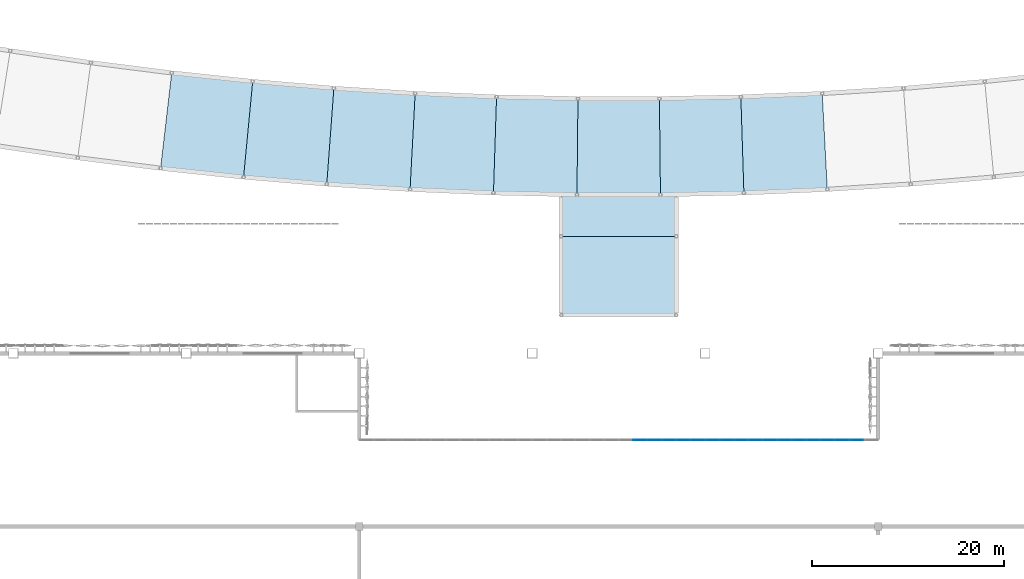
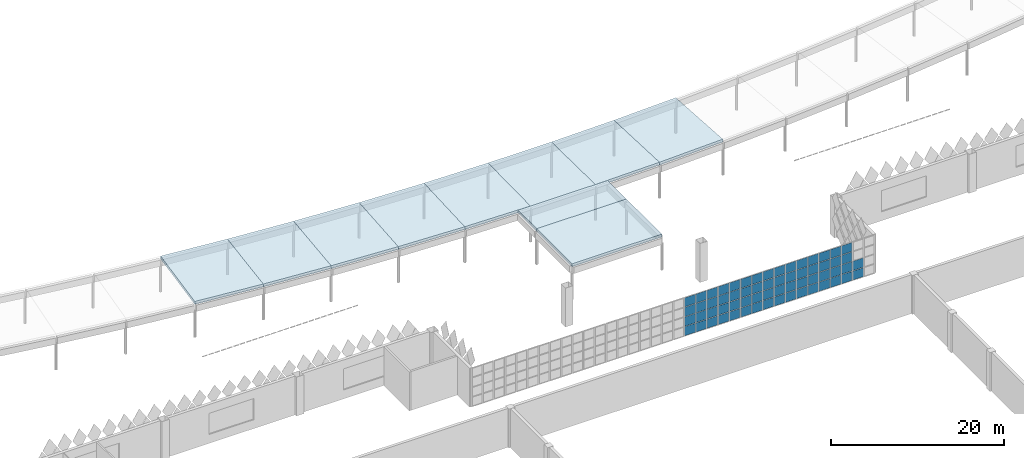
# One storey, part 92 of 185: 62 plates, 10 slabs, 2 elements without a shape of their own.
"""IFC4 building model written with IfcOpenShell, lengths in metres."""

from ifc_helpers import new_model, si_unit, direction, frame, origin, origin_2d, place, context, subcontext, project, spatial, polyline, rectangle, outline, extrude, material, layer, layer_set, type_object, element, aggregate, save


model = new_model("IFC4")

# Units and contexts
model_context = context("Model", 3, precision=1e-05, world=origin(), true_north=direction((0.0, 1.0)))
body_context = subcontext(model_context, "Body", "Model", "MODEL_VIEW")
ifc_project = project(units=[si_unit("LENGTHUNIT", "METRE"), si_unit("AREAUNIT", "SQUARE_METRE"), si_unit("VOLUMEUNIT", "CUBIC_METRE"), si_unit("PLANEANGLEUNIT", "RADIAN"), si_unit("MASSUNIT", "GRAM", prefix="KILO")], contexts=[model_context])

# Site, building, storey
site_placement = place(None, origin())
site = spatial("IfcSite", under=ifc_project, at=site_placement, CompositionType="ELEMENT")
building_placement = place(site_placement, origin())
building = spatial("IfcBuilding", under=site, at=building_placement, Name="Opaline Strait Convention Centre", CompositionType="ELEMENT")
storey_placement = place(building_placement, frame((0.0, 0.0, 6.0)))
storey = spatial("IfcBuildingStorey", under=building, at=storey_placement, Name="L01", CompositionType="ELEMENT", Elevation=6.0)

# Slabs
ifc_material_1 = material(Name="Concrete C40", Category="concrete")
ifc_layer_1 = layer(ifc_material_1, 0.39990234375)
ifc_layer_set_1 = layer_set([ifc_layer_1], Name="Concrete C40")
slab_type = type_object("IfcSlabType", Name="Arcade roof plate 400 C40", PredefinedType="ROOF", material=ifc_layer_set_1)
slab_1_placement = place(storey_placement, frame((0.0, 0.0, 4.60009765625)))
element("IfcSlab", 1, at=slab_1_placement, inside=storey, type_object=slab_type, Name="Strait Arcade walk roof plate 1", PredefinedType="ROOF", context=body_context, shape_type="SweptSolid", body=[
    extrude(outline(polyline([(174.0, 157.0), (186.0, 157.0), (186.0, 165.199951171875), (174.0, 165.199951171875), (174.0, 157.0)])), origin(), (0.0, 0.0, 1.0), 0.39990234375),
])
slab_2_placement = place(storey_placement, frame((0.0, 0.0, 4.60009765625)))
element("IfcSlab", 2, at=slab_2_placement, inside=storey, type_object=slab_type, Name="Strait Arcade walk roof plate 2", PredefinedType="ROOF", context=body_context, shape_type="SweptSolid", body=[
    extrude(outline(polyline([(174.0, 165.199951171875), (186.0, 165.199951171875), (186.0, 169.52294921875), (174.0, 169.52294921875), (174.0, 165.199951171875)])), origin(), (0.0, 0.0, 1.0), 0.39990234375),
])
slab_3_placement = place(storey_placement, frame((0.0, 0.0, 4.60009765625)))
element("IfcSlab", 3, at=slab_3_placement, inside=storey, type_object=slab_type, Name="Strait Arcade roof plate 5", PredefinedType="ROOF", context=body_context, shape_type="SweptSolid", body=[
    extrude(outline(polyline([(132.32275390625, 172.272216796875), (140.96142578125, 171.358642578125), (141.909423828125, 181.313720703125), (133.47802734375, 182.205078125), (132.32275390625, 172.272216796875)])), origin(), (0.0, 0.0, 1.0), 0.39990234375),
])
slab_4_placement = place(storey_placement, frame((0.0, 0.0, 4.60009765625)))
element("IfcSlab", 4, at=slab_4_placement, inside=storey, type_object=slab_type, Name="Strait Arcade roof plate 6", PredefinedType="ROOF", context=body_context, shape_type="SweptSolid", body=[
    extrude(outline(polyline([(140.96142578125, 171.358642578125), (149.6181640625, 170.625732421875), (150.357177734375, 180.598388671875), (141.909423828125, 181.313720703125), (140.96142578125, 171.358642578125)])), origin(), (0.0, 0.0, 1.0), 0.39990234375),
])
slab_5_placement = place(storey_placement, frame((0.0, 0.0, 4.60009765625)))
element("IfcSlab", 5, at=slab_5_placement, inside=storey, type_object=slab_type, Name="Strait Arcade roof plate 7", PredefinedType="ROOF", context=body_context, shape_type="SweptSolid", body=[
    extrude(outline(polyline([(149.6181640625, 170.625732421875), (158.28857421875, 170.074951171875), (158.8173828125, 180.060791015625), (150.357177734375, 180.598388671875), (149.6181640625, 170.625732421875)])), origin(), (0.0, 0.0, 1.0), 0.39990234375),
])
slab_6_placement = place(storey_placement, frame((0.0, 0.0, 4.60009765625)))
element("IfcSlab", 6, at=slab_6_placement, inside=storey, type_object=slab_type, Name="Strait Arcade roof plate 8", PredefinedType="ROOF", context=body_context, shape_type="SweptSolid", body=[
    extrude(outline(polyline([(158.28857421875, 170.074951171875), (166.968994140625, 169.70703125), (167.28662109375, 179.7021484375), (158.8173828125, 180.060791015625), (158.28857421875, 170.074951171875)])), origin(), (0.0, 0.0, 1.0), 0.39990234375),
])
slab_7_placement = place(storey_placement, frame((0.0, 0.0, 4.60009765625)))
element("IfcSlab", 7, at=slab_7_placement, inside=storey, type_object=slab_type, Name="Strait Arcade roof plate 9", PredefinedType="ROOF", context=body_context, shape_type="SweptSolid", body=[
    extrude(outline(polyline([(166.968994140625, 169.70703125), (175.65576171875, 169.52294921875), (175.76171875, 179.5224609375), (167.28662109375, 179.7021484375), (166.968994140625, 169.70703125)])), origin(), (0.0, 0.0, 1.0), 0.39990234375),
])
slab_8_placement = place(storey_placement, frame((0.0, 0.0, 4.60009765625)))
element("IfcSlab", 8, at=slab_8_placement, inside=storey, type_object=slab_type, Name="Strait Arcade roof plate 10", PredefinedType="ROOF", context=body_context, shape_type="SweptSolid", body=[
    extrude(outline(polyline([(175.65576171875, 169.52294921875), (184.34423828125, 169.52294921875), (184.23828125, 179.5224609375), (175.76171875, 179.5224609375), (175.65576171875, 169.52294921875)])), origin(), (0.0, 0.0, 1.0), 0.39990234375),
])
slab_9_placement = place(storey_placement, frame((0.0, 0.0, 4.60009765625)))
element("IfcSlab", 9, at=slab_9_placement, inside=storey, type_object=slab_type, Name="Strait Arcade roof plate 11", PredefinedType="ROOF", context=body_context, shape_type="SweptSolid", body=[
    extrude(outline(polyline([(184.34423828125, 169.52294921875), (193.031005859375, 169.70703125), (192.71337890625, 179.7021484375), (184.23828125, 179.5224609375), (184.34423828125, 169.52294921875)])), origin(), (0.0, 0.0, 1.0), 0.39990234375),
])
slab_10_placement = place(storey_placement, frame((0.0, 0.0, 4.60009765625)))
element("IfcSlab", 10, at=slab_10_placement, inside=storey, type_object=slab_type, Name="Strait Arcade roof plate 12", PredefinedType="ROOF", context=body_context, shape_type="SweptSolid", body=[
    extrude(outline(polyline([(193.031005859375, 169.70703125), (201.71142578125, 170.074951171875), (201.1826171875, 180.060791015625), (192.71337890625, 179.7021484375), (193.031005859375, 169.70703125)])), origin(), (0.0, 0.0, 1.0), 0.39990234375),
])

# Curtain wall, plates
ifc_material_2 = material(Name="Aluminium framed glazing", Category="aluminium")
ifc_layer_2 = layer(ifc_material_2, 0.199951171875)
ifc_layer_set_2 = layer_set([ifc_layer_2], Name="Aluminium framed glazing")
curtain_wall_type = type_object("IfcCurtainWallType", Name="Entrance curtain wall 1500", PredefinedType="NOTDEFINED", material=ifc_layer_set_2)
curtain_wall_1_placement = place(storey_placement, origin())
curtain_wall_1 = element("IfcCurtainWall", 11, at=curtain_wall_1_placement, inside=storey, type_object=curtain_wall_type, Name="Entrance curtain wall L01-R2", PredefinedType="NOTDEFINED")
ifc_material_3 = material(Name="Double glazed unit low emissivity", Category="glass")
ifc_layer_3 = layer(ifc_material_3, 0.028076171875)
ifc_layer_set_3 = layer_set([ifc_layer_3], Name="Double glazed unit low emissivity")
plate_type = type_object("IfcPlateType", Name="Curtain wall glass panel 28", PredefinedType="CURTAIN_PANEL", material=ifc_layer_set_3)
plate_1_placement = place(storey_placement, frame((182.25, 144.0, 0.06005859375), z_axis=(0.0, 0.0, 1.0), x_axis=(1.0, 0.0, 0.0)))
plate_1 = element("IfcPlate", 12, at=plate_1_placement, type_object=plate_type, Name="XCW panel 8.1", PredefinedType="CURTAIN_PANEL", context=body_context, shape_type="SweptSolid", body=[
    extrude(rectangle(XDim=1.43994140625, YDim=0.028076171875, at=origin_2d()), origin(), (0.0, 0.0, 1.0), 1.284912109375),
])
plate_2_placement = place(storey_placement, frame((182.25, 144.0, 1.405029296875), z_axis=(0.0, 0.0, 1.0), x_axis=(1.0, 0.0, 0.0)))
plate_2 = element("IfcPlate", 13, at=plate_2_placement, type_object=plate_type, Name="XCW panel 8.2", PredefinedType="CURTAIN_PANEL", context=body_context, shape_type="SweptSolid", body=[
    extrude(rectangle(XDim=1.43994140625, YDim=0.028076171875, at=origin_2d()), origin(), (0.0, 0.0, 1.0), 1.31494140625),
])
plate_3_placement = place(storey_placement, frame((182.25, 144.0, 2.780029296875), z_axis=(0.0, 0.0, 1.0), x_axis=(1.0, 0.0, 0.0)))
plate_3 = element("IfcPlate", 14, at=plate_3_placement, type_object=plate_type, Name="XCW panel 8.3", PredefinedType="CURTAIN_PANEL", context=body_context, shape_type="SweptSolid", body=[
    extrude(rectangle(XDim=1.43994140625, YDim=0.028076171875, at=origin_2d()), origin(), (0.0, 0.0, 1.0), 1.31494140625),
])
plate_4_placement = place(storey_placement, frame((182.25, 144.0, 4.1552734375), z_axis=(0.0, 0.0, 1.0), x_axis=(1.0, 0.0, 0.0)))
plate_4 = element("IfcPlate", 15, at=plate_4_placement, type_object=plate_type, Name="XCW panel 8.4", PredefinedType="CURTAIN_PANEL", context=body_context, shape_type="SweptSolid", body=[
    extrude(rectangle(XDim=1.43994140625, YDim=0.028076171875, at=origin_2d()), origin(), (0.0, 0.0, 1.0), 1.284912109375),
])
plate_5_placement = place(storey_placement, frame((183.75, 144.0, 0.06005859375), z_axis=(0.0, 0.0, 1.0), x_axis=(1.0, 0.0, 0.0)))
plate_5 = element("IfcPlate", 16, at=plate_5_placement, type_object=plate_type, Name="XCW panel 9.1", PredefinedType="CURTAIN_PANEL", context=body_context, shape_type="SweptSolid", body=[
    extrude(rectangle(XDim=1.43994140625, YDim=0.028076171875, at=origin_2d()), origin(), (0.0, 0.0, 1.0), 1.284912109375),
])
plate_6_placement = place(storey_placement, frame((183.75, 144.0, 1.405029296875), z_axis=(0.0, 0.0, 1.0), x_axis=(1.0, 0.0, 0.0)))
plate_6 = element("IfcPlate", 17, at=plate_6_placement, type_object=plate_type, Name="XCW panel 9.2", PredefinedType="CURTAIN_PANEL", context=body_context, shape_type="SweptSolid", body=[
    extrude(rectangle(XDim=1.43994140625, YDim=0.028076171875, at=origin_2d()), origin(), (0.0, 0.0, 1.0), 1.31494140625),
])
plate_7_placement = place(storey_placement, frame((183.75, 144.0, 2.780029296875), z_axis=(0.0, 0.0, 1.0), x_axis=(1.0, 0.0, 0.0)))
plate_7 = element("IfcPlate", 18, at=plate_7_placement, type_object=plate_type, Name="XCW panel 9.3", PredefinedType="CURTAIN_PANEL", context=body_context, shape_type="SweptSolid", body=[
    extrude(rectangle(XDim=1.43994140625, YDim=0.028076171875, at=origin_2d()), origin(), (0.0, 0.0, 1.0), 1.31494140625),
])
plate_8_placement = place(storey_placement, frame((183.75, 144.0, 4.1552734375), z_axis=(0.0, 0.0, 1.0), x_axis=(1.0, 0.0, 0.0)))
plate_8 = element("IfcPlate", 19, at=plate_8_placement, type_object=plate_type, Name="XCW panel 9.4", PredefinedType="CURTAIN_PANEL", context=body_context, shape_type="SweptSolid", body=[
    extrude(rectangle(XDim=1.43994140625, YDim=0.028076171875, at=origin_2d()), origin(), (0.0, 0.0, 1.0), 1.284912109375),
])
plate_9_placement = place(storey_placement, frame((185.25, 144.0, 0.06005859375), z_axis=(0.0, 0.0, 1.0), x_axis=(1.0, 0.0, 0.0)))
plate_9 = element("IfcPlate", 20, at=plate_9_placement, type_object=plate_type, Name="XCW panel 10.1", PredefinedType="CURTAIN_PANEL", context=body_context, shape_type="SweptSolid", body=[
    extrude(rectangle(XDim=1.43994140625, YDim=0.028076171875, at=origin_2d()), origin(), (0.0, 0.0, 1.0), 1.284912109375),
])
plate_10_placement = place(storey_placement, frame((185.25, 144.0, 1.405029296875), z_axis=(0.0, 0.0, 1.0), x_axis=(1.0, 0.0, 0.0)))
plate_10 = element("IfcPlate", 21, at=plate_10_placement, type_object=plate_type, Name="XCW panel 10.2", PredefinedType="CURTAIN_PANEL", context=body_context, shape_type="SweptSolid", body=[
    extrude(rectangle(XDim=1.43994140625, YDim=0.028076171875, at=origin_2d()), origin(), (0.0, 0.0, 1.0), 1.31494140625),
])
plate_11_placement = place(storey_placement, frame((185.25, 144.0, 2.780029296875), z_axis=(0.0, 0.0, 1.0), x_axis=(1.0, 0.0, 0.0)))
plate_11 = element("IfcPlate", 22, at=plate_11_placement, type_object=plate_type, Name="XCW panel 10.3", PredefinedType="CURTAIN_PANEL", context=body_context, shape_type="SweptSolid", body=[
    extrude(rectangle(XDim=1.43994140625, YDim=0.028076171875, at=origin_2d()), origin(), (0.0, 0.0, 1.0), 1.31494140625),
])
plate_12_placement = place(storey_placement, frame((185.25, 144.0, 4.1552734375), z_axis=(0.0, 0.0, 1.0), x_axis=(1.0, 0.0, 0.0)))
plate_12 = element("IfcPlate", 23, at=plate_12_placement, type_object=plate_type, Name="XCW panel 10.4", PredefinedType="CURTAIN_PANEL", context=body_context, shape_type="SweptSolid", body=[
    extrude(rectangle(XDim=1.43994140625, YDim=0.028076171875, at=origin_2d()), origin(), (0.0, 0.0, 1.0), 1.284912109375),
])
plate_13_placement = place(storey_placement, frame((186.75, 144.0, 0.06005859375), z_axis=(0.0, 0.0, 1.0), x_axis=(1.0, 0.0, 0.0)))
plate_13 = element("IfcPlate", 24, at=plate_13_placement, type_object=plate_type, Name="XCW panel 11.1", PredefinedType="CURTAIN_PANEL", context=body_context, shape_type="SweptSolid", body=[
    extrude(rectangle(XDim=1.43994140625, YDim=0.028076171875, at=origin_2d()), origin(), (0.0, 0.0, 1.0), 1.284912109375),
])
plate_14_placement = place(storey_placement, frame((186.75, 144.0, 1.405029296875), z_axis=(0.0, 0.0, 1.0), x_axis=(1.0, 0.0, 0.0)))
plate_14 = element("IfcPlate", 25, at=plate_14_placement, type_object=plate_type, Name="XCW panel 11.2", PredefinedType="CURTAIN_PANEL", context=body_context, shape_type="SweptSolid", body=[
    extrude(rectangle(XDim=1.43994140625, YDim=0.028076171875, at=origin_2d()), origin(), (0.0, 0.0, 1.0), 1.31494140625),
])
plate_15_placement = place(storey_placement, frame((186.75, 144.0, 2.780029296875), z_axis=(0.0, 0.0, 1.0), x_axis=(1.0, 0.0, 0.0)))
plate_15 = element("IfcPlate", 26, at=plate_15_placement, type_object=plate_type, Name="XCW panel 11.3", PredefinedType="CURTAIN_PANEL", context=body_context, shape_type="SweptSolid", body=[
    extrude(rectangle(XDim=1.43994140625, YDim=0.028076171875, at=origin_2d()), origin(), (0.0, 0.0, 1.0), 1.31494140625),
])
plate_16_placement = place(storey_placement, frame((186.75, 144.0, 4.1552734375), z_axis=(0.0, 0.0, 1.0), x_axis=(1.0, 0.0, 0.0)))
plate_16 = element("IfcPlate", 27, at=plate_16_placement, type_object=plate_type, Name="XCW panel 11.4", PredefinedType="CURTAIN_PANEL", context=body_context, shape_type="SweptSolid", body=[
    extrude(rectangle(XDim=1.43994140625, YDim=0.028076171875, at=origin_2d()), origin(), (0.0, 0.0, 1.0), 1.284912109375),
])
plate_17_placement = place(storey_placement, frame((188.235107421875, 144.0, 0.06005859375), z_axis=(0.0, 0.0, 1.0), x_axis=(1.0, 0.0, 0.0)))
plate_17 = element("IfcPlate", 28, at=plate_17_placement, type_object=plate_type, Name="XCW panel 12.1", PredefinedType="CURTAIN_PANEL", context=body_context, shape_type="SweptSolid", body=[
    extrude(rectangle(XDim=1.409912109375, YDim=0.028076171875, at=origin_2d()), origin(), (0.0, 0.0, 1.0), 1.284912109375),
])
plate_18_placement = place(storey_placement, frame((188.235107421875, 144.0, 1.405029296875), z_axis=(0.0, 0.0, 1.0), x_axis=(1.0, 0.0, 0.0)))
plate_18 = element("IfcPlate", 29, at=plate_18_placement, type_object=plate_type, Name="XCW panel 12.2", PredefinedType="CURTAIN_PANEL", context=body_context, shape_type="SweptSolid", body=[
    extrude(rectangle(XDim=1.409912109375, YDim=0.028076171875, at=origin_2d()), origin(), (0.0, 0.0, 1.0), 1.31494140625),
])
plate_19_placement = place(storey_placement, frame((188.235107421875, 144.0, 2.780029296875), z_axis=(0.0, 0.0, 1.0), x_axis=(1.0, 0.0, 0.0)))
plate_19 = element("IfcPlate", 30, at=plate_19_placement, type_object=plate_type, Name="XCW panel 12.3", PredefinedType="CURTAIN_PANEL", context=body_context, shape_type="SweptSolid", body=[
    extrude(rectangle(XDim=1.409912109375, YDim=0.028076171875, at=origin_2d()), origin(), (0.0, 0.0, 1.0), 1.31494140625),
])
plate_20_placement = place(storey_placement, frame((188.235107421875, 144.0, 4.1552734375), z_axis=(0.0, 0.0, 1.0), x_axis=(1.0, 0.0, 0.0)))
plate_20 = element("IfcPlate", 31, at=plate_20_placement, type_object=plate_type, Name="XCW panel 12.4", PredefinedType="CURTAIN_PANEL", context=body_context, shape_type="SweptSolid", body=[
    extrude(rectangle(XDim=1.409912109375, YDim=0.028076171875, at=origin_2d()), origin(), (0.0, 0.0, 1.0), 1.284912109375),
])
aggregate(curtain_wall_1, [plate_1, plate_2, plate_3, plate_4, plate_5, plate_6, plate_7, plate_8, plate_9, plate_10, plate_11, plate_12, plate_13, plate_14, plate_15, plate_16, plate_17, plate_18, plate_19, plate_20])

curtain_wall_2_placement = place(storey_placement, origin())
curtain_wall_2 = element("IfcCurtainWall", 32, at=curtain_wall_2_placement, inside=storey, type_object=curtain_wall_type, Name="Entrance curtain wall L01-R3", PredefinedType="NOTDEFINED")
plate_21_placement = place(storey_placement, frame((189.764892578125, 144.0, 0.06005859375), z_axis=(0.0, 0.0, 1.0), x_axis=(1.0, 0.0, 0.0)))
plate_21 = element("IfcPlate", 33, at=plate_21_placement, type_object=plate_type, Name="XCW panel 1.1", PredefinedType="CURTAIN_PANEL", context=body_context, shape_type="SweptSolid", body=[
    extrude(rectangle(XDim=1.409912109375, YDim=0.028076171875, at=origin_2d()), origin(), (0.0, 0.0, 1.0), 1.284912109375),
])
plate_22_placement = place(storey_placement, frame((189.764892578125, 144.0, 1.405029296875), z_axis=(0.0, 0.0, 1.0), x_axis=(1.0, 0.0, 0.0)))
plate_22 = element("IfcPlate", 34, at=plate_22_placement, type_object=plate_type, Name="XCW panel 1.2", PredefinedType="CURTAIN_PANEL", context=body_context, shape_type="SweptSolid", body=[
    extrude(rectangle(XDim=1.409912109375, YDim=0.028076171875, at=origin_2d()), origin(), (0.0, 0.0, 1.0), 1.31494140625),
])
plate_23_placement = place(storey_placement, frame((189.764892578125, 144.0, 2.780029296875), z_axis=(0.0, 0.0, 1.0), x_axis=(1.0, 0.0, 0.0)))
plate_23 = element("IfcPlate", 35, at=plate_23_placement, type_object=plate_type, Name="XCW panel 1.3", PredefinedType="CURTAIN_PANEL", context=body_context, shape_type="SweptSolid", body=[
    extrude(rectangle(XDim=1.409912109375, YDim=0.028076171875, at=origin_2d()), origin(), (0.0, 0.0, 1.0), 1.31494140625),
])
plate_24_placement = place(storey_placement, frame((189.764892578125, 144.0, 4.1552734375), z_axis=(0.0, 0.0, 1.0), x_axis=(1.0, 0.0, 0.0)))
plate_24 = element("IfcPlate", 36, at=plate_24_placement, type_object=plate_type, Name="XCW panel 1.4", PredefinedType="CURTAIN_PANEL", context=body_context, shape_type="SweptSolid", body=[
    extrude(rectangle(XDim=1.409912109375, YDim=0.028076171875, at=origin_2d()), origin(), (0.0, 0.0, 1.0), 1.284912109375),
])
plate_25_placement = place(storey_placement, frame((191.25, 144.0, 0.06005859375), z_axis=(0.0, 0.0, 1.0), x_axis=(1.0, 0.0, 0.0)))
plate_25 = element("IfcPlate", 37, at=plate_25_placement, type_object=plate_type, Name="XCW panel 2.1", PredefinedType="CURTAIN_PANEL", context=body_context, shape_type="SweptSolid", body=[
    extrude(rectangle(XDim=1.43994140625, YDim=0.028076171875, at=origin_2d()), origin(), (0.0, 0.0, 1.0), 1.284912109375),
])
plate_26_placement = place(storey_placement, frame((191.25, 144.0, 1.405029296875), z_axis=(0.0, 0.0, 1.0), x_axis=(1.0, 0.0, 0.0)))
plate_26 = element("IfcPlate", 38, at=plate_26_placement, type_object=plate_type, Name="XCW panel 2.2", PredefinedType="CURTAIN_PANEL", context=body_context, shape_type="SweptSolid", body=[
    extrude(rectangle(XDim=1.43994140625, YDim=0.028076171875, at=origin_2d()), origin(), (0.0, 0.0, 1.0), 1.31494140625),
])
plate_27_placement = place(storey_placement, frame((191.25, 144.0, 2.780029296875), z_axis=(0.0, 0.0, 1.0), x_axis=(1.0, 0.0, 0.0)))
plate_27 = element("IfcPlate", 39, at=plate_27_placement, type_object=plate_type, Name="XCW panel 2.3", PredefinedType="CURTAIN_PANEL", context=body_context, shape_type="SweptSolid", body=[
    extrude(rectangle(XDim=1.43994140625, YDim=0.028076171875, at=origin_2d()), origin(), (0.0, 0.0, 1.0), 1.31494140625),
])
plate_28_placement = place(storey_placement, frame((191.25, 144.0, 4.1552734375), z_axis=(0.0, 0.0, 1.0), x_axis=(1.0, 0.0, 0.0)))
plate_28 = element("IfcPlate", 40, at=plate_28_placement, type_object=plate_type, Name="XCW panel 2.4", PredefinedType="CURTAIN_PANEL", context=body_context, shape_type="SweptSolid", body=[
    extrude(rectangle(XDim=1.43994140625, YDim=0.028076171875, at=origin_2d()), origin(), (0.0, 0.0, 1.0), 1.284912109375),
])
plate_29_placement = place(storey_placement, frame((192.75, 144.0, 0.06005859375), z_axis=(0.0, 0.0, 1.0), x_axis=(1.0, 0.0, 0.0)))
plate_29 = element("IfcPlate", 41, at=plate_29_placement, type_object=plate_type, Name="XCW panel 3.1", PredefinedType="CURTAIN_PANEL", context=body_context, shape_type="SweptSolid", body=[
    extrude(rectangle(XDim=1.43994140625, YDim=0.028076171875, at=origin_2d()), origin(), (0.0, 0.0, 1.0), 1.284912109375),
])
plate_30_placement = place(storey_placement, frame((192.75, 144.0, 1.405029296875), z_axis=(0.0, 0.0, 1.0), x_axis=(1.0, 0.0, 0.0)))
plate_30 = element("IfcPlate", 42, at=plate_30_placement, type_object=plate_type, Name="XCW panel 3.2", PredefinedType="CURTAIN_PANEL", context=body_context, shape_type="SweptSolid", body=[
    extrude(rectangle(XDim=1.43994140625, YDim=0.028076171875, at=origin_2d()), origin(), (0.0, 0.0, 1.0), 1.31494140625),
])
plate_31_placement = place(storey_placement, frame((192.75, 144.0, 2.780029296875), z_axis=(0.0, 0.0, 1.0), x_axis=(1.0, 0.0, 0.0)))
plate_31 = element("IfcPlate", 43, at=plate_31_placement, type_object=plate_type, Name="XCW panel 3.3", PredefinedType="CURTAIN_PANEL", context=body_context, shape_type="SweptSolid", body=[
    extrude(rectangle(XDim=1.43994140625, YDim=0.028076171875, at=origin_2d()), origin(), (0.0, 0.0, 1.0), 1.31494140625),
])
plate_32_placement = place(storey_placement, frame((192.75, 144.0, 4.1552734375), z_axis=(0.0, 0.0, 1.0), x_axis=(1.0, 0.0, 0.0)))
plate_32 = element("IfcPlate", 44, at=plate_32_placement, type_object=plate_type, Name="XCW panel 3.4", PredefinedType="CURTAIN_PANEL", context=body_context, shape_type="SweptSolid", body=[
    extrude(rectangle(XDim=1.43994140625, YDim=0.028076171875, at=origin_2d()), origin(), (0.0, 0.0, 1.0), 1.284912109375),
])
plate_33_placement = place(storey_placement, frame((194.25, 144.0, 0.06005859375), z_axis=(0.0, 0.0, 1.0), x_axis=(1.0, 0.0, 0.0)))
plate_33 = element("IfcPlate", 45, at=plate_33_placement, type_object=plate_type, Name="XCW panel 4.1", PredefinedType="CURTAIN_PANEL", context=body_context, shape_type="SweptSolid", body=[
    extrude(rectangle(XDim=1.43994140625, YDim=0.028076171875, at=origin_2d()), origin(), (0.0, 0.0, 1.0), 1.284912109375),
])
plate_34_placement = place(storey_placement, frame((194.25, 144.0, 1.405029296875), z_axis=(0.0, 0.0, 1.0), x_axis=(1.0, 0.0, 0.0)))
plate_34 = element("IfcPlate", 46, at=plate_34_placement, type_object=plate_type, Name="XCW panel 4.2", PredefinedType="CURTAIN_PANEL", context=body_context, shape_type="SweptSolid", body=[
    extrude(rectangle(XDim=1.43994140625, YDim=0.028076171875, at=origin_2d()), origin(), (0.0, 0.0, 1.0), 1.31494140625),
])
plate_35_placement = place(storey_placement, frame((194.25, 144.0, 2.780029296875), z_axis=(0.0, 0.0, 1.0), x_axis=(1.0, 0.0, 0.0)))
plate_35 = element("IfcPlate", 47, at=plate_35_placement, type_object=plate_type, Name="XCW panel 4.3", PredefinedType="CURTAIN_PANEL", context=body_context, shape_type="SweptSolid", body=[
    extrude(rectangle(XDim=1.43994140625, YDim=0.028076171875, at=origin_2d()), origin(), (0.0, 0.0, 1.0), 1.31494140625),
])
plate_36_placement = place(storey_placement, frame((194.25, 144.0, 4.1552734375), z_axis=(0.0, 0.0, 1.0), x_axis=(1.0, 0.0, 0.0)))
plate_36 = element("IfcPlate", 48, at=plate_36_placement, type_object=plate_type, Name="XCW panel 4.4", PredefinedType="CURTAIN_PANEL", context=body_context, shape_type="SweptSolid", body=[
    extrude(rectangle(XDim=1.43994140625, YDim=0.028076171875, at=origin_2d()), origin(), (0.0, 0.0, 1.0), 1.284912109375),
])
plate_37_placement = place(storey_placement, frame((195.75, 144.0, 0.06005859375), z_axis=(0.0, 0.0, 1.0), x_axis=(1.0, 0.0, 0.0)))
plate_37 = element("IfcPlate", 49, at=plate_37_placement, type_object=plate_type, Name="XCW panel 5.1", PredefinedType="CURTAIN_PANEL", context=body_context, shape_type="SweptSolid", body=[
    extrude(rectangle(XDim=1.43994140625, YDim=0.028076171875, at=origin_2d()), origin(), (0.0, 0.0, 1.0), 1.284912109375),
])
plate_38_placement = place(storey_placement, frame((195.75, 144.0, 1.405029296875), z_axis=(0.0, 0.0, 1.0), x_axis=(1.0, 0.0, 0.0)))
plate_38 = element("IfcPlate", 50, at=plate_38_placement, type_object=plate_type, Name="XCW panel 5.2", PredefinedType="CURTAIN_PANEL", context=body_context, shape_type="SweptSolid", body=[
    extrude(rectangle(XDim=1.43994140625, YDim=0.028076171875, at=origin_2d()), origin(), (0.0, 0.0, 1.0), 1.31494140625),
])
plate_39_placement = place(storey_placement, frame((195.75, 144.0, 2.780029296875), z_axis=(0.0, 0.0, 1.0), x_axis=(1.0, 0.0, 0.0)))
plate_39 = element("IfcPlate", 51, at=plate_39_placement, type_object=plate_type, Name="XCW panel 5.3", PredefinedType="CURTAIN_PANEL", context=body_context, shape_type="SweptSolid", body=[
    extrude(rectangle(XDim=1.43994140625, YDim=0.028076171875, at=origin_2d()), origin(), (0.0, 0.0, 1.0), 1.31494140625),
])
plate_40_placement = place(storey_placement, frame((195.75, 144.0, 4.1552734375), z_axis=(0.0, 0.0, 1.0), x_axis=(1.0, 0.0, 0.0)))
plate_40 = element("IfcPlate", 52, at=plate_40_placement, type_object=plate_type, Name="XCW panel 5.4", PredefinedType="CURTAIN_PANEL", context=body_context, shape_type="SweptSolid", body=[
    extrude(rectangle(XDim=1.43994140625, YDim=0.028076171875, at=origin_2d()), origin(), (0.0, 0.0, 1.0), 1.284912109375),
])
plate_41_placement = place(storey_placement, frame((197.25, 144.0, 0.06005859375), z_axis=(0.0, 0.0, 1.0), x_axis=(1.0, 0.0, 0.0)))
plate_41 = element("IfcPlate", 53, at=plate_41_placement, type_object=plate_type, Name="XCW panel 6.1", PredefinedType="CURTAIN_PANEL", context=body_context, shape_type="SweptSolid", body=[
    extrude(rectangle(XDim=1.43994140625, YDim=0.028076171875, at=origin_2d()), origin(), (0.0, 0.0, 1.0), 1.284912109375),
])
plate_42_placement = place(storey_placement, frame((197.25, 144.0, 1.405029296875), z_axis=(0.0, 0.0, 1.0), x_axis=(1.0, 0.0, 0.0)))
plate_42 = element("IfcPlate", 54, at=plate_42_placement, type_object=plate_type, Name="XCW panel 6.2", PredefinedType="CURTAIN_PANEL", context=body_context, shape_type="SweptSolid", body=[
    extrude(rectangle(XDim=1.43994140625, YDim=0.028076171875, at=origin_2d()), origin(), (0.0, 0.0, 1.0), 1.31494140625),
])
plate_43_placement = place(storey_placement, frame((197.25, 144.0, 2.780029296875), z_axis=(0.0, 0.0, 1.0), x_axis=(1.0, 0.0, 0.0)))
plate_43 = element("IfcPlate", 55, at=plate_43_placement, type_object=plate_type, Name="XCW panel 6.3", PredefinedType="CURTAIN_PANEL", context=body_context, shape_type="SweptSolid", body=[
    extrude(rectangle(XDim=1.43994140625, YDim=0.028076171875, at=origin_2d()), origin(), (0.0, 0.0, 1.0), 1.31494140625),
])
plate_44_placement = place(storey_placement, frame((197.25, 144.0, 4.1552734375), z_axis=(0.0, 0.0, 1.0), x_axis=(1.0, 0.0, 0.0)))
plate_44 = element("IfcPlate", 56, at=plate_44_placement, type_object=plate_type, Name="XCW panel 6.4", PredefinedType="CURTAIN_PANEL", context=body_context, shape_type="SweptSolid", body=[
    extrude(rectangle(XDim=1.43994140625, YDim=0.028076171875, at=origin_2d()), origin(), (0.0, 0.0, 1.0), 1.284912109375),
])
plate_45_placement = place(storey_placement, frame((198.75, 144.0, 0.06005859375), z_axis=(0.0, 0.0, 1.0), x_axis=(1.0, 0.0, 0.0)))
plate_45 = element("IfcPlate", 57, at=plate_45_placement, type_object=plate_type, Name="XCW panel 7.1", PredefinedType="CURTAIN_PANEL", context=body_context, shape_type="SweptSolid", body=[
    extrude(rectangle(XDim=1.43994140625, YDim=0.028076171875, at=origin_2d()), origin(), (0.0, 0.0, 1.0), 1.284912109375),
])
plate_46_placement = place(storey_placement, frame((198.75, 144.0, 1.405029296875), z_axis=(0.0, 0.0, 1.0), x_axis=(1.0, 0.0, 0.0)))
plate_46 = element("IfcPlate", 58, at=plate_46_placement, type_object=plate_type, Name="XCW panel 7.2", PredefinedType="CURTAIN_PANEL", context=body_context, shape_type="SweptSolid", body=[
    extrude(rectangle(XDim=1.43994140625, YDim=0.028076171875, at=origin_2d()), origin(), (0.0, 0.0, 1.0), 1.31494140625),
])
plate_47_placement = place(storey_placement, frame((198.75, 144.0, 2.780029296875), z_axis=(0.0, 0.0, 1.0), x_axis=(1.0, 0.0, 0.0)))
plate_47 = element("IfcPlate", 59, at=plate_47_placement, type_object=plate_type, Name="XCW panel 7.3", PredefinedType="CURTAIN_PANEL", context=body_context, shape_type="SweptSolid", body=[
    extrude(rectangle(XDim=1.43994140625, YDim=0.028076171875, at=origin_2d()), origin(), (0.0, 0.0, 1.0), 1.31494140625),
])
plate_48_placement = place(storey_placement, frame((198.75, 144.0, 4.1552734375), z_axis=(0.0, 0.0, 1.0), x_axis=(1.0, 0.0, 0.0)))
plate_48 = element("IfcPlate", 60, at=plate_48_placement, type_object=plate_type, Name="XCW panel 7.4", PredefinedType="CURTAIN_PANEL", context=body_context, shape_type="SweptSolid", body=[
    extrude(rectangle(XDim=1.43994140625, YDim=0.028076171875, at=origin_2d()), origin(), (0.0, 0.0, 1.0), 1.284912109375),
])
plate_49_placement = place(storey_placement, frame((200.25, 144.0, 0.06005859375), z_axis=(0.0, 0.0, 1.0), x_axis=(1.0, 0.0, 0.0)))
plate_49 = element("IfcPlate", 61, at=plate_49_placement, type_object=plate_type, Name="XCW panel 8.1", PredefinedType="CURTAIN_PANEL", context=body_context, shape_type="SweptSolid", body=[
    extrude(rectangle(XDim=1.43994140625, YDim=0.028076171875, at=origin_2d()), origin(), (0.0, 0.0, 1.0), 1.284912109375),
])
plate_50_placement = place(storey_placement, frame((200.25, 144.0, 1.405029296875), z_axis=(0.0, 0.0, 1.0), x_axis=(1.0, 0.0, 0.0)))
plate_50 = element("IfcPlate", 62, at=plate_50_placement, type_object=plate_type, Name="XCW panel 8.2", PredefinedType="CURTAIN_PANEL", context=body_context, shape_type="SweptSolid", body=[
    extrude(rectangle(XDim=1.43994140625, YDim=0.028076171875, at=origin_2d()), origin(), (0.0, 0.0, 1.0), 1.31494140625),
])
plate_51_placement = place(storey_placement, frame((200.25, 144.0, 2.780029296875), z_axis=(0.0, 0.0, 1.0), x_axis=(1.0, 0.0, 0.0)))
plate_51 = element("IfcPlate", 63, at=plate_51_placement, type_object=plate_type, Name="XCW panel 8.3", PredefinedType="CURTAIN_PANEL", context=body_context, shape_type="SweptSolid", body=[
    extrude(rectangle(XDim=1.43994140625, YDim=0.028076171875, at=origin_2d()), origin(), (0.0, 0.0, 1.0), 1.31494140625),
])
plate_52_placement = place(storey_placement, frame((200.25, 144.0, 4.1552734375), z_axis=(0.0, 0.0, 1.0), x_axis=(1.0, 0.0, 0.0)))
plate_52 = element("IfcPlate", 64, at=plate_52_placement, type_object=plate_type, Name="XCW panel 8.4", PredefinedType="CURTAIN_PANEL", context=body_context, shape_type="SweptSolid", body=[
    extrude(rectangle(XDim=1.43994140625, YDim=0.028076171875, at=origin_2d()), origin(), (0.0, 0.0, 1.0), 1.284912109375),
])
plate_53_placement = place(storey_placement, frame((201.75, 144.0, 0.06005859375), z_axis=(0.0, 0.0, 1.0), x_axis=(1.0, 0.0, 0.0)))
plate_53 = element("IfcPlate", 65, at=plate_53_placement, type_object=plate_type, Name="XCW panel 9.1", PredefinedType="CURTAIN_PANEL", context=body_context, shape_type="SweptSolid", body=[
    extrude(rectangle(XDim=1.43994140625, YDim=0.028076171875, at=origin_2d()), origin(), (0.0, 0.0, 1.0), 1.284912109375),
])
plate_54_placement = place(storey_placement, frame((201.75, 144.0, 1.405029296875), z_axis=(0.0, 0.0, 1.0), x_axis=(1.0, 0.0, 0.0)))
plate_54 = element("IfcPlate", 66, at=plate_54_placement, type_object=plate_type, Name="XCW panel 9.2", PredefinedType="CURTAIN_PANEL", context=body_context, shape_type="SweptSolid", body=[
    extrude(rectangle(XDim=1.43994140625, YDim=0.028076171875, at=origin_2d()), origin(), (0.0, 0.0, 1.0), 1.31494140625),
])
plate_55_placement = place(storey_placement, frame((201.75, 144.0, 2.780029296875), z_axis=(0.0, 0.0, 1.0), x_axis=(1.0, 0.0, 0.0)))
plate_55 = element("IfcPlate", 67, at=plate_55_placement, type_object=plate_type, Name="XCW panel 9.3", PredefinedType="CURTAIN_PANEL", context=body_context, shape_type="SweptSolid", body=[
    extrude(rectangle(XDim=1.43994140625, YDim=0.028076171875, at=origin_2d()), origin(), (0.0, 0.0, 1.0), 1.31494140625),
])
plate_56_placement = place(storey_placement, frame((201.75, 144.0, 4.1552734375), z_axis=(0.0, 0.0, 1.0), x_axis=(1.0, 0.0, 0.0)))
plate_56 = element("IfcPlate", 68, at=plate_56_placement, type_object=plate_type, Name="XCW panel 9.4", PredefinedType="CURTAIN_PANEL", context=body_context, shape_type="SweptSolid", body=[
    extrude(rectangle(XDim=1.43994140625, YDim=0.028076171875, at=origin_2d()), origin(), (0.0, 0.0, 1.0), 1.284912109375),
])
plate_57_placement = place(storey_placement, frame((203.25, 144.0, 0.06005859375), z_axis=(0.0, 0.0, 1.0), x_axis=(1.0, 0.0, 0.0)))
plate_57 = element("IfcPlate", 69, at=plate_57_placement, type_object=plate_type, Name="XCW panel 10.1", PredefinedType="CURTAIN_PANEL", context=body_context, shape_type="SweptSolid", body=[
    extrude(rectangle(XDim=1.43994140625, YDim=0.028076171875, at=origin_2d()), origin(), (0.0, 0.0, 1.0), 1.284912109375),
])
plate_58_placement = place(storey_placement, frame((203.25, 144.0, 1.405029296875), z_axis=(0.0, 0.0, 1.0), x_axis=(1.0, 0.0, 0.0)))
plate_58 = element("IfcPlate", 70, at=plate_58_placement, type_object=plate_type, Name="XCW panel 10.2", PredefinedType="CURTAIN_PANEL", context=body_context, shape_type="SweptSolid", body=[
    extrude(rectangle(XDim=1.43994140625, YDim=0.028076171875, at=origin_2d()), origin(), (0.0, 0.0, 1.0), 1.31494140625),
])
plate_59_placement = place(storey_placement, frame((203.25, 144.0, 2.780029296875), z_axis=(0.0, 0.0, 1.0), x_axis=(1.0, 0.0, 0.0)))
plate_59 = element("IfcPlate", 71, at=plate_59_placement, type_object=plate_type, Name="XCW panel 10.3", PredefinedType="CURTAIN_PANEL", context=body_context, shape_type="SweptSolid", body=[
    extrude(rectangle(XDim=1.43994140625, YDim=0.028076171875, at=origin_2d()), origin(), (0.0, 0.0, 1.0), 1.31494140625),
])
plate_60_placement = place(storey_placement, frame((203.25, 144.0, 4.1552734375), z_axis=(0.0, 0.0, 1.0), x_axis=(1.0, 0.0, 0.0)))
plate_60 = element("IfcPlate", 72, at=plate_60_placement, type_object=plate_type, Name="XCW panel 10.4", PredefinedType="CURTAIN_PANEL", context=body_context, shape_type="SweptSolid", body=[
    extrude(rectangle(XDim=1.43994140625, YDim=0.028076171875, at=origin_2d()), origin(), (0.0, 0.0, 1.0), 1.284912109375),
])
plate_61_placement = place(storey_placement, frame((204.75, 144.0, 0.06005859375), z_axis=(0.0, 0.0, 1.0), x_axis=(1.0, 0.0, 0.0)))
plate_61 = element("IfcPlate", 73, at=plate_61_placement, type_object=plate_type, Name="XCW panel 11.1", PredefinedType="CURTAIN_PANEL", context=body_context, shape_type="SweptSolid", body=[
    extrude(rectangle(XDim=1.43994140625, YDim=0.028076171875, at=origin_2d()), origin(), (0.0, 0.0, 1.0), 1.284912109375),
])
plate_62_placement = place(storey_placement, frame((204.75, 144.0, 1.405029296875), z_axis=(0.0, 0.0, 1.0), x_axis=(1.0, 0.0, 0.0)))
plate_62 = element("IfcPlate", 74, at=plate_62_placement, type_object=plate_type, Name="XCW panel 11.2", PredefinedType="CURTAIN_PANEL", context=body_context, shape_type="SweptSolid", body=[
    extrude(rectangle(XDim=1.43994140625, YDim=0.028076171875, at=origin_2d()), origin(), (0.0, 0.0, 1.0), 1.31494140625),
])
aggregate(curtain_wall_2, [plate_21, plate_22, plate_23, plate_24, plate_25, plate_26, plate_27, plate_28, plate_29, plate_30, plate_31, plate_32, plate_33, plate_34, plate_35, plate_36, plate_37, plate_38, plate_39, plate_40, plate_41, plate_42, plate_43, plate_44, plate_45, plate_46, plate_47, plate_48, plate_49, plate_50, plate_51, plate_52, plate_53, plate_54, plate_55, plate_56, plate_57, plate_58, plate_59, plate_60, plate_61, plate_62])

save(model, "model.ifc")
